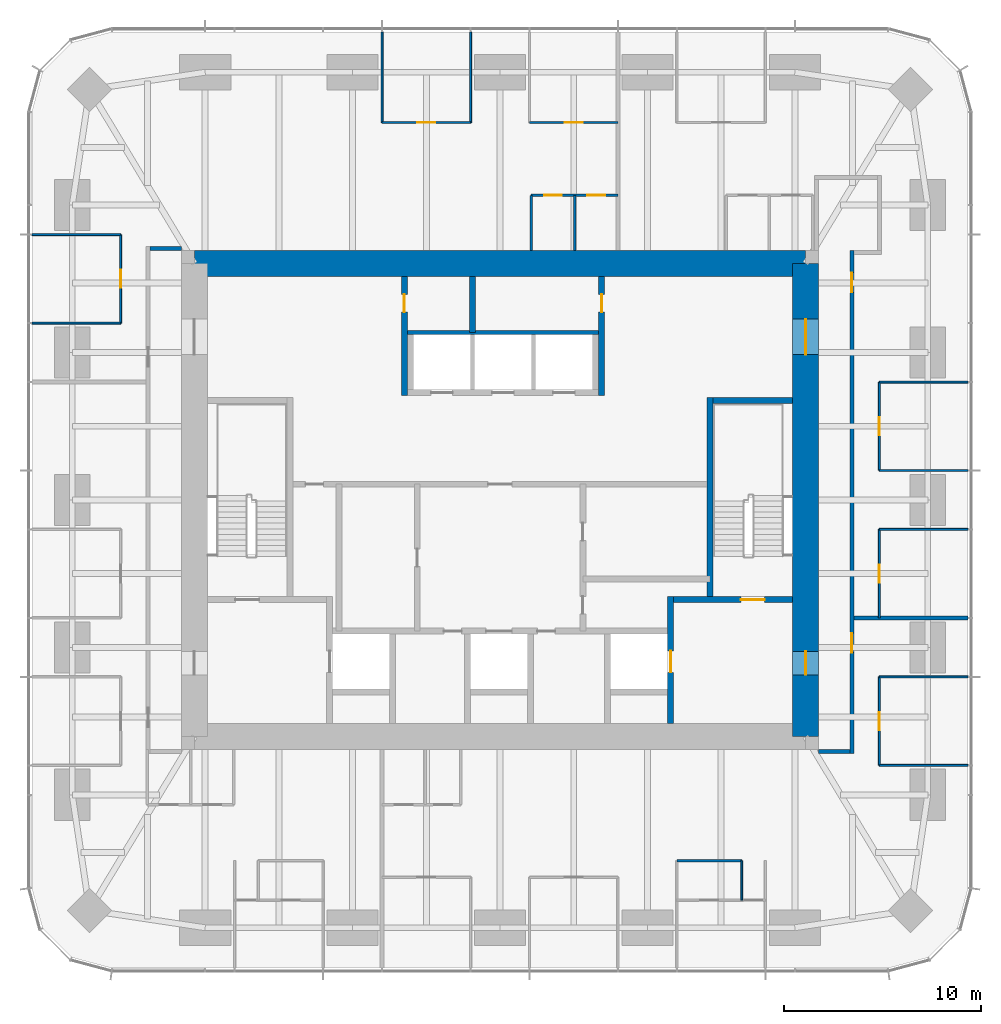
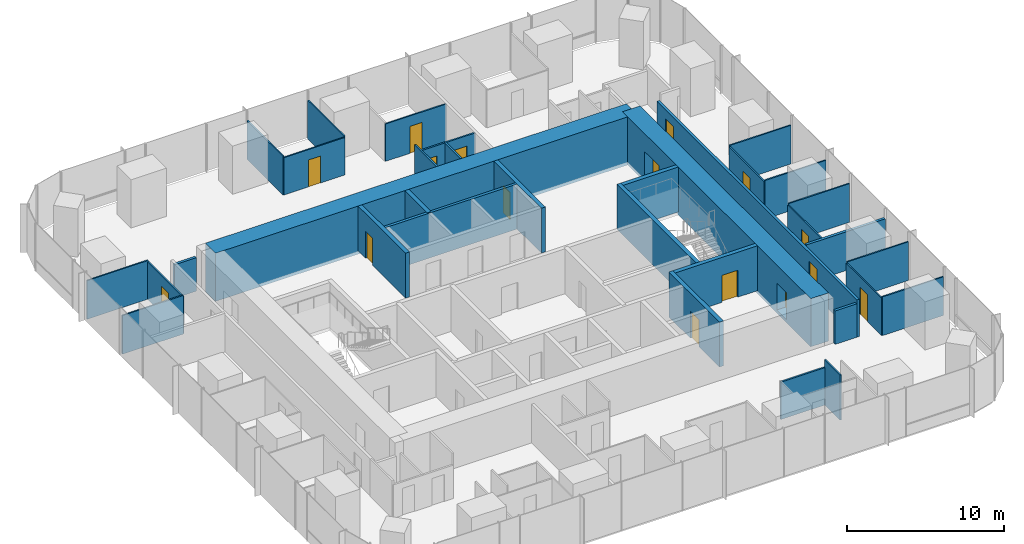
# One storey, part 10 of 12: 34 walls, 16 doors, 16 openings.
"""IFC4 building model written with IfcOpenShell, lengths in metres."""

from ifc_helpers import new_model, si_unit, direction, frame, frame_2d, origin, place, context, subcontext, project, spatial, rectangle, extrude, material, layer, layer_set, type_object, element, fill, save


model = new_model("IFC4")

# Units and contexts
model_context = context("Model", 3, precision=1e-05, world=origin(), true_north=direction((0.0, 1.0)))
body_context = subcontext(model_context, "Body", "Model", "MODEL_VIEW")
ifc_project = project(units=[si_unit("LENGTHUNIT", "METRE"), si_unit("AREAUNIT", "SQUARE_METRE"), si_unit("VOLUMEUNIT", "CUBIC_METRE"), si_unit("PLANEANGLEUNIT", "RADIAN"), si_unit("MASSUNIT", "GRAM", prefix="KILO")], contexts=[model_context])

# Site, building, storey
site_placement = place(None, origin())
site = spatial("IfcSite", under=ifc_project, at=site_placement, CompositionType="ELEMENT")
building_placement = place(site_placement, origin())
building = spatial("IfcBuilding", under=site, at=building_placement, Name="Khuree Lantern Residences", CompositionType="ELEMENT")
storey_placement = place(building_placement, frame((0.0, 0.0, 289.5)))
storey = spatial("IfcBuildingStorey", under=building, at=storey_placement, Name="L72", CompositionType="ELEMENT", Elevation=289.5)

# Wall, openings, doors
ifc_material_1 = material(Name="Moisture-resistant gypsum board on steel studs", Category="steel")
ifc_layer_1 = layer(ifc_material_1, 0.125)
ifc_layer_set_1 = layer_set([ifc_layer_1], Name="BATHROOM WALL BTW125")
wall_type_1 = type_object("IfcWallType", Name="BATHROOM WALL BTW125", PredefinedType="PARTITIONING", material=ifc_layer_set_1)
wall_1_placement = place(storey_placement, frame((5.98388671875, 15.449951171875, 0.0), z_axis=(0.0, 0.0, 1.0), x_axis=(-1.0, 0.0, 0.0)))
wall_1 = element("IfcWall", 1, at=wall_1_placement, inside=storey, type_object=wall_type_1, Name="L72 BATHROOM WALL 02", PredefinedType="PARTITIONING", context=body_context, shape_type="SweptSolid", body=[
    extrude(rectangle(XDim=4.39990234375, YDim=0.125, at=frame_2d((2.199951171875, 0.0))), origin(), (0.0, 0.0, 1.0), 2.909912109375),
])
opening_1_placement = place(wall_1_placement, frame((0.64990234375, 0.0, 0.0)))
opening_1 = element("IfcOpeningElement", 2, at=opening_1_placement, cuts=wall_1, Name="Opening 72-031", PredefinedType="OPENING", context=body_context, shape_type="SweptSolid", body=[
    extrude(rectangle(XDim=0.89990234375, YDim=2.10009765625, at=frame_2d((0.449951171875, 1.050048828125))), frame((0.0, 0.072509765625, 0.0), z_axis=(0.0, -1.0, 0.0), x_axis=(1.0, 0.0, 0.0)), (0.0, 0.0, 1.0), 0.14501953125),
])
opening_2_placement = place(wall_1_placement, frame((2.85009765625, 0.0, 0.0)))
opening_2 = element("IfcOpeningElement", 3, at=opening_2_placement, cuts=wall_1, Name="Opening 72-032", PredefinedType="OPENING", context=body_context, shape_type="SweptSolid", body=[
    extrude(rectangle(XDim=0.89990234375, YDim=2.10009765625, at=frame_2d((0.449951171875, 1.050048828125))), frame((0.0, 0.072509765625, 0.0), z_axis=(0.0, -1.0, 0.0), x_axis=(1.0, 0.0, 0.0)), (0.0, 0.0, 1.0), 0.14501953125),
])
ifc_material_2 = material(Name="Timber door leaf in hardwood frame", Category="wood")
door_type_1 = type_object("IfcDoorType", Name="BATHROOM DOOR 900X2100", OperationType="SINGLE_SWING_LEFT", PredefinedType="DOOR", material=ifc_material_2)
door_1_placement = place(opening_1_placement, origin())
door_1 = element("IfcDoor", 4, at=door_1_placement, inside=storey, type_object=door_type_1, Name="Bathroom door 72-031", OperationType="SINGLE_SWING_LEFT", OverallHeight=2.10009765625, OverallWidth=0.89990234375, PredefinedType="DOOR", context=body_context, shape_type="SweptSolid", body=[
    extrude(rectangle(XDim=0.89990234375, YDim=2.10009765625, at=frame_2d((0.449951171875, 1.050048828125))), frame((0.0, 0.02490234375, 0.0), z_axis=(0.0, -1.0, 0.0), x_axis=(1.0, 0.0, 0.0)), (0.0, 0.0, 1.0), 0.050048828125),
])
fill(opening_1, door_1)
door_2_placement = place(opening_2_placement, origin())
door_2 = element("IfcDoor", 5, at=door_2_placement, inside=storey, type_object=door_type_1, Name="Bathroom door 72-032", OperationType="SINGLE_SWING_LEFT", OverallHeight=2.10009765625, OverallWidth=0.89990234375, PredefinedType="DOOR", context=body_context, shape_type="SweptSolid", body=[
    extrude(rectangle(XDim=0.89990234375, YDim=2.10009765625, at=frame_2d((0.449951171875, 1.050048828125))), frame((0.0, 0.02490234375, 0.0), z_axis=(0.0, -1.0, 0.0), x_axis=(1.0, 0.0, 0.0)), (0.0, 0.0, 1.0), 0.050048828125),
])
fill(opening_2, door_2)

# Walls
wall_2_placement = place(storey_placement, frame((3.783935546875, 12.64990234375, 0.0), z_axis=(0.0, 0.0, 1.0), x_axis=(0.0, 1.0, 0.0)))
element("IfcWall", 6, at=wall_2_placement, inside=storey, type_object=wall_type_1, Name="L72 BATHROOM WALL 02", PredefinedType="PARTITIONING", context=body_context, shape_type="SweptSolid", body=[
    extrude(rectangle(XDim=2.800048828125, YDim=0.125, at=frame_2d((1.39990234375, 0.0))), origin(), (0.0, 0.0, 1.0), 2.909912109375),
])
wall_3_placement = place(storey_placement, frame((1.583984375, 12.64990234375, 0.0), z_axis=(0.0, 0.0, 1.0), x_axis=(0.0, 1.0, 0.0)))
element("IfcWall", 7, at=wall_3_placement, inside=storey, type_object=wall_type_1, Name="L72 BATHROOM WALL 02", PredefinedType="PARTITIONING", context=body_context, shape_type="SweptSolid", body=[
    extrude(rectangle(XDim=2.800048828125, YDim=0.125, at=frame_2d((1.39990234375, 0.0))), origin(), (0.0, 0.0, 1.0), 3.5),
])
wall_4_placement = place(storey_placement, frame((8.97607421875, -18.29638671875, 0.0), z_axis=(0.0, 0.0, 1.0), x_axis=(1.0, 0.0, 0.0)))
element("IfcWall", 8, at=wall_4_placement, inside=storey, type_object=wall_type_1, Name="L72 BATHROOM WALL 04", PredefinedType="PARTITIONING", context=body_context, shape_type="SweptSolid", body=[
    extrude(rectangle(XDim=3.287841796875, YDim=0.125, at=frame_2d((1.64404296875, 0.0))), origin(), (0.0, 0.0, 1.0), 2.909912109375),
])

# Wall, opening, door
ifc_material_3 = material(Name="Dense concrete blockwork", Category="masonry")
ifc_layer_2 = layer(ifc_material_3, 0.300048828125)
ifc_layer_set_2 = layer_set([ifc_layer_2], Name="CORE PARTITION WALL CPW300 EI 120")
wall_type_2 = type_object("IfcWallType", Name="CORE PARTITION WALL CPW300 EI 120", PredefinedType="PARTITIONING", material=ifc_layer_set_2)
wall_5_placement = place(storey_placement, frame((8.64990234375, -11.35009765625, 0.0), z_axis=(0.0, 0.0, 1.0), x_axis=(0.0, 1.0, 0.0)))
wall_5 = element("IfcWall", 9, at=wall_5_placement, inside=storey, type_object=wall_type_2, Name="L72 CORE WALL FL2E", PredefinedType="PARTITIONING", context=body_context, shape_type="SweptSolid", body=[
    extrude(rectangle(XDim=6.4501953125, YDim=0.300048828125, at=frame_2d((3.22509765625, 0.0))), origin(), (0.0, 0.0, 1.0), 3.5),
])
opening_3_placement = place(wall_5_placement, frame((2.60009765625, 0.0, 0.0)))
opening_3 = element("IfcOpeningElement", 10, at=opening_3_placement, cuts=wall_5, Name="Opening 72-008", PredefinedType="OPENING", context=body_context, shape_type="SweptSolid", body=[
    extrude(rectangle(XDim=1.10009765625, YDim=2.10009765625, at=frame_2d((0.550048828125, 1.050048828125))), frame((0.0, 0.16015625, 0.0), z_axis=(0.0, -1.0, 0.0), x_axis=(1.0, 0.0, 0.0)), (0.0, 0.0, 1.0), 0.320068359375),
])
ifc_material_4 = material(Name="Stainless steel lift landing door", Category="steel")
door_type_2 = type_object("IfcDoorType", Name="LIFT LANDING DOOR 1100X2100 E 120", OperationType="DOUBLE_DOOR_SLIDING", PredefinedType="DOOR", material=ifc_material_4)
door_3_placement = place(opening_3_placement, origin())
door_3 = element("IfcDoor", 11, at=door_3_placement, inside=storey, type_object=door_type_2, Name="Landing door FL2 72-008", OperationType="DOUBLE_DOOR_SLIDING", OverallHeight=2.10009765625, OverallWidth=1.10009765625, PredefinedType="DOOR", context=body_context, shape_type="SweptSolid", body=[
    extrude(rectangle(XDim=1.10009765625, YDim=2.10009765625, at=frame_2d((0.550048828125, 1.050048828125))), frame((0.0, 0.02490234375, 0.0), z_axis=(0.0, -1.0, 0.0), x_axis=(1.0, 0.0, 0.0)), (0.0, 0.0, 1.0), 0.050048828125),
])
fill(opening_3, door_3)

wall_6_placement = place(storey_placement, frame((-4.85009765625, 5.300048828125, 0.0), z_axis=(0.0, 0.0, 1.0), x_axis=(0.0, 1.0, 0.0)))
wall_6 = element("IfcWall", 12, at=wall_6_placement, inside=storey, type_object=wall_type_2, Name="L72 CORE WALL NW", PredefinedType="PARTITIONING", context=body_context, shape_type="SweptSolid", body=[
    extrude(rectangle(XDim=6.050048828125, YDim=0.300048828125, at=frame_2d((3.02490234375, 0.0))), origin(), (0.0, 0.0, 1.0), 3.5),
])
opening_4_placement = place(wall_6_placement, frame((4.22509765625, 0.0, 0.0)))
opening_4 = element("IfcOpeningElement", 13, at=opening_4_placement, cuts=wall_6, Name="Opening 72-020", PredefinedType="OPENING", context=body_context, shape_type="SweptSolid", body=[
    extrude(rectangle(XDim=0.89990234375, YDim=2.10009765625, at=frame_2d((0.449951171875, 1.050048828125))), frame((0.0, 0.16015625, 0.0), z_axis=(0.0, -1.0, 0.0), x_axis=(1.0, 0.0, 0.0)), (0.0, 0.0, 1.0), 0.320068359375),
])
door_type_3 = type_object("IfcDoorType", Name="DOOR 900X2100 RIGHT HAND", OperationType="SINGLE_SWING_RIGHT", PredefinedType="DOOR", material=ifc_material_2)
door_4_placement = place(opening_4_placement, origin())
door_4 = element("IfcDoor", 14, at=door_4_placement, inside=storey, type_object=door_type_3, Name="Building management room door 72-020", OperationType="SINGLE_SWING_RIGHT", OverallHeight=2.10009765625, OverallWidth=0.89990234375, PredefinedType="DOOR", context=body_context, shape_type="SweptSolid", body=[
    extrude(rectangle(XDim=0.89990234375, YDim=2.10009765625, at=frame_2d((0.449951171875, 1.050048828125))), frame((0.0, 0.02490234375, 0.0), z_axis=(0.0, -1.0, 0.0), x_axis=(1.0, 0.0, 0.0)), (0.0, 0.0, 1.0), 0.050048828125),
])
fill(opening_4, door_4)

wall_7_placement = place(storey_placement, frame((5.14990234375, 5.300048828125, 0.0), z_axis=(0.0, 0.0, 1.0), x_axis=(0.0, 1.0, 0.0)))
wall_7 = element("IfcWall", 15, at=wall_7_placement, inside=storey, type_object=wall_type_2, Name="L72 CORE WALL NE", PredefinedType="PARTITIONING", context=body_context, shape_type="SweptSolid", body=[
    extrude(rectangle(XDim=6.050048828125, YDim=0.300048828125, at=frame_2d((3.02490234375, 0.0))), origin(), (0.0, 0.0, 1.0), 3.5),
])
opening_5_placement = place(wall_7_placement, frame((4.22509765625, 0.0, 0.0)))
opening_5 = element("IfcOpeningElement", 16, at=opening_5_placement, cuts=wall_7, Name="Opening 72-021", PredefinedType="OPENING", context=body_context, shape_type="SweptSolid", body=[
    extrude(rectangle(XDim=0.89990234375, YDim=2.10009765625, at=frame_2d((0.449951171875, 1.050048828125))), frame((0.0, 0.16015625, 0.0), z_axis=(0.0, -1.0, 0.0), x_axis=(1.0, 0.0, 0.0)), (0.0, 0.0, 1.0), 0.320068359375),
])
door_type_4 = type_object("IfcDoorType", Name="DOOR 900X2100", OperationType="SINGLE_SWING_LEFT", PredefinedType="DOOR", material=ifc_material_2)
door_5_placement = place(opening_5_placement, origin())
door_5 = element("IfcDoor", 17, at=door_5_placement, inside=storey, type_object=door_type_4, Name="Bulky waste store door 72-021", OperationType="SINGLE_SWING_LEFT", OverallHeight=2.10009765625, OverallWidth=0.89990234375, PredefinedType="DOOR", context=body_context, shape_type="SweptSolid", body=[
    extrude(rectangle(XDim=0.89990234375, YDim=2.10009765625, at=frame_2d((0.449951171875, 1.050048828125))), frame((0.0, 0.02490234375, 0.0), z_axis=(0.0, -1.0, 0.0), x_axis=(1.0, 0.0, 0.0)), (0.0, 0.0, 1.0), 0.050048828125),
])
fill(opening_5, door_5)

# Walls
wall_8_placement = place(storey_placement, frame((-1.39990234375, 8.5, 0.0), z_axis=(0.0, 0.0, 1.0), x_axis=(0.0, 1.0, 0.0)))
element("IfcWall", 18, at=wall_8_placement, inside=storey, type_object=wall_type_2, Name="L72 CORE WALL NX", PredefinedType="PARTITIONING", context=body_context, shape_type="SweptSolid", body=[
    extrude(rectangle(XDim=2.85009765625, YDim=0.300048828125, at=frame_2d((1.425048828125, 0.0))), origin(), (0.0, 0.0, 1.0), 3.5),
])
ifc_material_5 = material(Name="Gypsum board on steel studs", Category="steel")
ifc_layer_3 = layer(ifc_material_5, 0.199951171875)
ifc_layer_set_3 = layer_set([ifc_layer_3], Name="CORRIDOR WALL CRW200 EI 60")
wall_type_3 = type_object("IfcWallType", Name="CORRIDOR WALL CRW200 EI 60", PredefinedType="PARTITIONING", material=ifc_layer_set_3)
for number, where, z_axis, x_axis, name in (
    (19, (16.14990234375, -12.75, 0.0), (0.0, 0.0, 1.0), (1.0, 0.0, 0.0), "L72 EAST CORRIDOR SOUTH END WALL"),
    (20, (-16.14990234375, 12.75, 0.0), (0.0, 0.0, 1.0), (-1.0, 0.0, 0.0), "L72 WEST CORRIDOR NORTH END WALL"),
):
    element("IfcWall", number, at=place(storey_placement, frame(where, z_axis=z_axis, x_axis=x_axis)), inside=storey, type_object=wall_type_3, Name=name, PredefinedType="PARTITIONING", context=body_context, shape_type="SweptSolid", body=[
        extrude(rectangle(XDim=1.60009765625, YDim=0.199951171875, at=frame_2d((0.800048828125, 0.0))), origin(), (0.0, 0.0, 1.0), 2.60009765625),
    ])

# Wall, openings, doors
wall_9_placement = place(storey_placement, frame((17.85009765625, -12.85009765625, 0.0), z_axis=(0.0, 0.0, 1.0), x_axis=(0.0, 1.0, 0.0)))
wall_9 = element("IfcWall", 21, at=wall_9_placement, inside=storey, type_object=wall_type_3, Name="L72 CORRIDOR WALL EAST 1", PredefinedType="PARTITIONING", context=body_context, shape_type="SweptSolid", body=[
    extrude(rectangle(XDim=25.5, YDim=0.199951171875, at=frame_2d((12.75, 0.0))), origin(), (0.0, 0.0, 1.0), 2.89990234375),
])
opening_6_placement = place(wall_9_placement, frame((23.385986328125, 0.0, 0.0)))
opening_6 = element("IfcOpeningElement", 22, at=opening_6_placement, cuts=wall_9, Name="Opening 72-027", PredefinedType="OPENING", context=body_context, shape_type="SweptSolid", body=[
    extrude(rectangle(XDim=1.0, YDim=2.199951171875, at=frame_2d((0.5, 1.10009765625))), frame((0.0, 0.10986328125, 0.0), z_axis=(0.0, -1.0, 0.0), x_axis=(1.0, 0.0, 0.0)), (0.0, 0.0, 1.0), 0.219970703125),
])
opening_7_placement = place(wall_9_placement, frame((5.10009765625, 0.0, 0.0)))
opening_7 = element("IfcOpeningElement", 23, at=opening_7_placement, cuts=wall_9, Name="Opening 72-048", PredefinedType="OPENING", context=body_context, shape_type="SweptSolid", body=[
    extrude(rectangle(XDim=1.0, YDim=2.199951171875, at=frame_2d((0.5, 1.10009765625))), frame((0.0, 0.10986328125, 0.0), z_axis=(0.0, -1.0, 0.0), x_axis=(1.0, 0.0, 0.0)), (0.0, 0.0, 1.0), 0.219970703125),
])
door_type_5 = type_object("IfcDoorType", Name="APARTMENT ENTRANCE DOOR 1000X2200 EI 30S", OperationType="SINGLE_SWING_LEFT", PredefinedType="DOOR", material=ifc_material_2)
door_6_placement = place(opening_6_placement, origin())
door_6 = element("IfcDoor", 24, at=door_6_placement, inside=storey, type_object=door_type_5, Name="Apartment 01 entrance door 72-027", OperationType="SINGLE_SWING_LEFT", OverallHeight=2.199951171875, OverallWidth=1.0, PredefinedType="DOOR", context=body_context, shape_type="SweptSolid", body=[
    extrude(rectangle(XDim=1.0, YDim=2.199951171875, at=frame_2d((0.5, 1.10009765625))), frame((0.0, 0.02490234375, 0.0), z_axis=(0.0, -1.0, 0.0), x_axis=(1.0, 0.0, 0.0)), (0.0, 0.0, 1.0), 0.050048828125),
])
fill(opening_6, door_6)
door_7_placement = place(opening_7_placement, origin())
door_7 = element("IfcDoor", 25, at=door_7_placement, inside=storey, type_object=door_type_5, Name="Apartment 04 entrance door 72-048", OperationType="SINGLE_SWING_LEFT", OverallHeight=2.199951171875, OverallWidth=1.0, PredefinedType="DOOR", context=body_context, shape_type="SweptSolid", body=[
    extrude(rectangle(XDim=1.0, YDim=2.199951171875, at=frame_2d((0.5, 1.10009765625))), frame((0.0, 0.02490234375, 0.0), z_axis=(0.0, -1.0, 0.0), x_axis=(1.0, 0.0, 0.0)), (0.0, 0.0, 1.0), 0.050048828125),
])
fill(opening_7, door_7)

ifc_material_6 = material(Name="Concrete C50/60", Category="concrete")
ifc_layer_4 = layer(ifc_material_6, 1.300048828125)
ifc_layer_set_4 = layer_set([ifc_layer_4], Name="CW1300-C50 CORE WALL C50 1300")
wall_type_4 = type_object("IfcWallType", Name="CW1300-C50 CORE WALL C50 1300", PredefinedType="SHEAR", material=ifc_layer_set_4)
wall_10_placement = place(storey_placement, frame((15.5, -12.0, -0.25), z_axis=(0.0, 0.0, 1.0), x_axis=(0.0, 1.0, 0.0)))
wall_10 = element("IfcWall", 26, at=wall_10_placement, inside=storey, type_object=wall_type_4, Name="Core wall E", PredefinedType="SHEAR", context=body_context, shape_type="SweptSolid", body=[
    extrude(rectangle(XDim=24.0, YDim=1.300048828125, at=frame_2d((12.0, 0.0))), origin(), (0.0, 0.0, 1.0), 3.75),
])
opening_8_placement = place(wall_10_placement, frame((3.125, 0.0, 0.25)))
opening_8 = element("IfcOpeningElement", 27, at=opening_8_placement, cuts=wall_10, Name="Opening 72-005", PredefinedType="OPENING", context=body_context, shape_type="SweptSolid", body=[
    extrude(rectangle(XDim=1.199951171875, YDim=2.10009765625, at=frame_2d((0.60009765625, 1.050048828125))), frame((0.0, 0.66015625, 0.0), z_axis=(0.0, -1.0, 0.0), x_axis=(1.0, 0.0, 0.0)), (0.0, 0.0, 1.0), 1.320068359375),
])
opening_9_placement = place(wall_10_placement, frame((19.375, 0.0, 0.25)))
opening_9 = element("IfcOpeningElement", 28, at=opening_9_placement, cuts=wall_10, Name="Opening 72-006", PredefinedType="OPENING", context=body_context, shape_type="SweptSolid", body=[
    extrude(rectangle(XDim=1.800048828125, YDim=2.10009765625, at=frame_2d((0.89990234375, 1.050048828125))), frame((0.0, 0.66015625, 0.0), z_axis=(0.0, -1.0, 0.0), x_axis=(1.0, 0.0, 0.0)), (0.0, 0.0, 1.0), 1.320068359375),
])
ifc_material_7 = material(Name="Steel door leaf in steel frame", Category="steel")
door_type_6 = type_object("IfcDoorType", Name="LOBBY DOOR 1200X2100 EI 120", OperationType="SINGLE_SWING_LEFT", PredefinedType="DOOR", material=ifc_material_7)
door_8_placement = place(opening_8_placement, origin())
door_8 = element("IfcDoor", 29, at=door_8_placement, inside=storey, type_object=door_type_6, Name="Firefighting lobby door 72-005", OperationType="SINGLE_SWING_LEFT", OverallHeight=2.10009765625, OverallWidth=1.199951171875, PredefinedType="DOOR", context=body_context, shape_type="SweptSolid", body=[
    extrude(rectangle(XDim=1.199951171875, YDim=2.10009765625, at=frame_2d((0.60009765625, 1.050048828125))), frame((0.0, 0.02490234375, 0.0), z_axis=(0.0, -1.0, 0.0), x_axis=(1.0, 0.0, 0.0)), (0.0, 0.0, 1.0), 0.050048828125),
])
fill(opening_8, door_8)
door_type_7 = type_object("IfcDoorType", Name="LOBBY DOUBLE DOOR 1800X2100 EI 60", OperationType="DOUBLE_DOOR_SINGLE_SWING", PredefinedType="DOOR", material=ifc_material_7)
door_9_placement = place(opening_9_placement, origin())
door_9 = element("IfcDoor", 30, at=door_9_placement, inside=storey, type_object=door_type_7, Name="Lift lobby door 72-006", OperationType="DOUBLE_DOOR_SINGLE_SWING", OverallHeight=2.10009765625, OverallWidth=1.800048828125, PredefinedType="DOOR", context=body_context, shape_type="SweptSolid", body=[
    extrude(rectangle(XDim=1.800048828125, YDim=2.10009765625, at=frame_2d((0.89990234375, 1.050048828125))), frame((0.0, 0.02490234375, 0.0), z_axis=(0.0, -1.0, 0.0), x_axis=(1.0, 0.0, 0.0)), (0.0, 0.0, 1.0), 0.050048828125),
])
fill(opening_9, door_9)

# Walls
wall_11_placement = place(storey_placement, frame((-15.5, 12.0, -0.25), z_axis=(0.0, 0.0, 1.0), x_axis=(1.0, 0.0, 0.0)))
element("IfcWall", 31, at=wall_11_placement, inside=storey, type_object=wall_type_4, Name="Core wall N", PredefinedType="SHEAR", context=body_context, shape_type="SweptSolid", body=[
    extrude(rectangle(XDim=31.0, YDim=1.300048828125, at=frame_2d((15.5, 0.0))), origin(), (0.0, 0.0, 1.0), 3.75),
])
ifc_layer_5 = layer(ifc_material_5, 0.199951171875)
ifc_layer_set_5 = layer_set([ifc_layer_5], Name="DEMISING WALL DMW200 EI 90")
wall_type_5 = type_object("IfcWallType", Name="DEMISING WALL DMW200 EI 90", PredefinedType="PARTITIONING", material=ifc_layer_set_5)
wall_12_placement = place(storey_placement, frame((17.949951171875, -5.98388671875, 0.0), z_axis=(0.0, 0.0, 1.0), x_axis=(1.0, 0.0, 0.0)))
element("IfcWall", 32, at=wall_12_placement, inside=storey, type_object=wall_type_5, Name="L72 DEMISING WALL 01", PredefinedType="PARTITIONING", context=body_context, shape_type="SweptSolid", body=[
    extrude(rectangle(XDim=5.800048828125, YDim=0.199951171875, at=frame_2d((2.89990234375, 0.0))), origin(), (0.0, 0.0, 1.0), 3.010009765625),
])
ifc_layer_6 = layer(ifc_material_5, 0.10009765625)
ifc_layer_set_6 = layer_set([ifc_layer_6], Name="PARTITION PT100")
wall_type_6 = type_object("IfcWallType", Name="PARTITION PT100", PredefinedType="PARTITIONING", material=ifc_layer_set_6)
for number, where, z_axis, x_axis, name in (
    (33, (19.25, -1.49609375, 0.0), (0.0, 0.0, 1.0), (1.0, 0.0, 0.0), "L72 PARTITION 01"),
    (34, (19.25, 1.49609375, 0.0), (0.0, 0.0, 1.0), (1.0, 0.0, 0.0), "L72 PARTITION 01"),
    (35, (19.25, 5.98388671875, 0.0), (0.0, 0.0, 1.0), (1.0, 0.0, 0.0), "L72 PARTITION 01"),
):
    element("IfcWall", number, at=place(storey_placement, frame(where, z_axis=z_axis, x_axis=x_axis)), inside=storey, type_object=wall_type_6, Name=name, PredefinedType="PARTITIONING", context=body_context, shape_type="SweptSolid", body=[
        extrude(rectangle(XDim=4.5, YDim=0.10009765625, at=frame_2d((2.25, 0.0))), origin(), (0.0, 0.0, 1.0), 3.010009765625),
    ])
for number, where, z_axis, x_axis, name in (
    (36, (-1.49609375, 19.14990234375, 0.0), (0.0, 0.0, 1.0), (0.0, 1.0, 0.0), "L72 PARTITION 02"),
    (37, (-5.98388671875, 19.14990234375, 0.0), (0.0, 0.0, 1.0), (0.0, 1.0, 0.0), "L72 PARTITION 02"),
):
    element("IfcWall", number, at=place(storey_placement, frame(where, z_axis=z_axis, x_axis=x_axis)), inside=storey, type_object=wall_type_6, Name=name, PredefinedType="PARTITIONING", context=body_context, shape_type="SweptSolid", body=[
        extrude(rectangle(XDim=4.60009765625, YDim=0.10009765625, at=frame_2d((2.300048828125, 0.0))), origin(), (0.0, 0.0, 1.0), 3.010009765625),
    ])
for number, where, z_axis, x_axis, name in (
    (38, (-19.25, 13.464111328125, 0.0), (0.0, 0.0, 1.0), (-1.0, 0.0, 0.0), "L72 PARTITION 02"),
    (39, (-19.25, 8.97607421875, 0.0), (0.0, 0.0, 1.0), (-1.0, 0.0, 0.0), "L72 PARTITION 02"),
    (40, (19.25, -13.464111328125, 0.0), (0.0, 0.0, 1.0), (1.0, 0.0, 0.0), "L72 PARTITION 04"),
    (41, (19.25, -8.97607421875, 0.0), (0.0, 0.0, 1.0), (1.0, 0.0, 0.0), "L72 PARTITION 04"),
):
    element("IfcWall", number, at=place(storey_placement, frame(where, z_axis=z_axis, x_axis=x_axis)), inside=storey, type_object=wall_type_6, Name=name, PredefinedType="PARTITIONING", context=body_context, shape_type="SweptSolid", body=[
        extrude(rectangle(XDim=4.5, YDim=0.10009765625, at=frame_2d((2.25, 0.0))), origin(), (0.0, 0.0, 1.0), 3.010009765625),
    ])

# Wall, opening, door
wall_13_placement = place(storey_placement, frame((19.25, -5.98388671875, 0.0), z_axis=(0.0, 0.0, 1.0), x_axis=(0.0, 1.0, 0.0)))
wall_13 = element("IfcWall", 42, at=wall_13_placement, inside=storey, type_object=wall_type_6, Name="L72 PARTITION 01", PredefinedType="PARTITIONING", context=body_context, shape_type="SweptSolid", body=[
    extrude(rectangle(XDim=4.48779296875, YDim=0.10009765625, at=frame_2d((2.243896484375, 0.0))), origin(), (0.0, 0.0, 1.0), 2.909912109375),
])
opening_10_placement = place(wall_13_placement, frame((1.7939453125, 0.0, 0.0)))
opening_10 = element("IfcOpeningElement", 43, at=opening_10_placement, cuts=wall_13, Name="Opening 72-022", PredefinedType="OPENING", context=body_context, shape_type="SweptSolid", body=[
    extrude(rectangle(XDim=0.89990234375, YDim=2.10009765625, at=frame_2d((0.449951171875, 1.050048828125))), frame((0.0, 0.06005859375, 0.0), z_axis=(0.0, -1.0, 0.0), x_axis=(1.0, 0.0, 0.0)), (0.0, 0.0, 1.0), 0.1201171875),
])
door_type_8 = type_object("IfcDoorType", Name="BEDROOM DOOR 900X2100", OperationType="SINGLE_SWING_LEFT", PredefinedType="DOOR", material=ifc_material_2)
door_10_placement = place(opening_10_placement, origin())
door_10 = element("IfcDoor", 44, at=door_10_placement, inside=storey, type_object=door_type_8, Name="Bedroom door 72-022", OperationType="SINGLE_SWING_LEFT", OverallHeight=2.10009765625, OverallWidth=0.89990234375, PredefinedType="DOOR", context=body_context, shape_type="SweptSolid", body=[
    extrude(rectangle(XDim=0.89990234375, YDim=2.10009765625, at=frame_2d((0.449951171875, 1.050048828125))), frame((0.0, 0.02490234375, 0.0), z_axis=(0.0, -1.0, 0.0), x_axis=(1.0, 0.0, 0.0)), (0.0, 0.0, 1.0), 0.050048828125),
])
fill(opening_10, door_10)

wall_14_placement = place(storey_placement, frame((19.25, 1.49609375, 0.0), z_axis=(0.0, 0.0, 1.0), x_axis=(0.0, 1.0, 0.0)))
wall_14 = element("IfcWall", 45, at=wall_14_placement, inside=storey, type_object=wall_type_6, Name="L72 PARTITION 01", PredefinedType="PARTITIONING", context=body_context, shape_type="SweptSolid", body=[
    extrude(rectangle(XDim=4.48779296875, YDim=0.10009765625, at=frame_2d((2.243896484375, 0.0))), origin(), (0.0, 0.0, 1.0), 2.909912109375),
])
opening_11_placement = place(wall_14_placement, frame((1.7939453125, 0.0, 0.0)))
opening_11 = element("IfcOpeningElement", 46, at=opening_11_placement, cuts=wall_14, Name="Opening 72-023", PredefinedType="OPENING", context=body_context, shape_type="SweptSolid", body=[
    extrude(rectangle(XDim=0.89990234375, YDim=2.10009765625, at=frame_2d((0.449951171875, 1.050048828125))), frame((0.0, 0.06005859375, 0.0), z_axis=(0.0, -1.0, 0.0), x_axis=(1.0, 0.0, 0.0)), (0.0, 0.0, 1.0), 0.1201171875),
])
door_11_placement = place(opening_11_placement, origin())
door_11 = element("IfcDoor", 47, at=door_11_placement, inside=storey, type_object=door_type_8, Name="Bedroom door 72-023", OperationType="SINGLE_SWING_LEFT", OverallHeight=2.10009765625, OverallWidth=0.89990234375, PredefinedType="DOOR", context=body_context, shape_type="SweptSolid", body=[
    extrude(rectangle(XDim=0.89990234375, YDim=2.10009765625, at=frame_2d((0.449951171875, 1.050048828125))), frame((0.0, 0.02490234375, 0.0), z_axis=(0.0, -1.0, 0.0), x_axis=(1.0, 0.0, 0.0)), (0.0, 0.0, 1.0), 0.050048828125),
])
fill(opening_11, door_11)

wall_15_placement = place(storey_placement, frame((5.98388671875, 19.14990234375, 0.0), z_axis=(0.0, 0.0, 1.0), x_axis=(-1.0, 0.0, 0.0)))
wall_15 = element("IfcWall", 48, at=wall_15_placement, inside=storey, type_object=wall_type_6, Name="L72 PARTITION 02", PredefinedType="PARTITIONING", context=body_context, shape_type="SweptSolid", body=[
    extrude(rectangle(XDim=4.48779296875, YDim=0.10009765625, at=frame_2d((2.243896484375, 0.0))), origin(), (0.0, 0.0, 1.0), 2.909912109375),
])
opening_12_placement = place(wall_15_placement, frame((1.7939453125, 0.0, 0.0)))
opening_12 = element("IfcOpeningElement", 49, at=opening_12_placement, cuts=wall_15, Name="Opening 72-028", PredefinedType="OPENING", context=body_context, shape_type="SweptSolid", body=[
    extrude(rectangle(XDim=0.89990234375, YDim=2.10009765625, at=frame_2d((0.449951171875, 1.050048828125))), frame((0.0, 0.06005859375, 0.0), z_axis=(0.0, -1.0, 0.0), x_axis=(1.0, 0.0, 0.0)), (0.0, 0.0, 1.0), 0.1201171875),
])
door_12_placement = place(opening_12_placement, origin())
door_12 = element("IfcDoor", 50, at=door_12_placement, inside=storey, type_object=door_type_8, Name="Bedroom door 72-028", OperationType="SINGLE_SWING_LEFT", OverallHeight=2.10009765625, OverallWidth=0.89990234375, PredefinedType="DOOR", context=body_context, shape_type="SweptSolid", body=[
    extrude(rectangle(XDim=0.89990234375, YDim=2.10009765625, at=frame_2d((0.449951171875, 1.050048828125))), frame((0.0, 0.02490234375, 0.0), z_axis=(0.0, -1.0, 0.0), x_axis=(1.0, 0.0, 0.0)), (0.0, 0.0, 1.0), 0.050048828125),
])
fill(opening_12, door_12)

wall_16_placement = place(storey_placement, frame((-1.49609375, 19.14990234375, 0.0), z_axis=(0.0, 0.0, 1.0), x_axis=(-1.0, 0.0, 0.0)))
wall_16 = element("IfcWall", 51, at=wall_16_placement, inside=storey, type_object=wall_type_6, Name="L72 PARTITION 02", PredefinedType="PARTITIONING", context=body_context, shape_type="SweptSolid", body=[
    extrude(rectangle(XDim=4.48779296875, YDim=0.10009765625, at=frame_2d((2.243896484375, 0.0))), origin(), (0.0, 0.0, 1.0), 2.909912109375),
])
opening_13_placement = place(wall_16_placement, frame((1.7939453125, 0.0, 0.0)))
opening_13 = element("IfcOpeningElement", 52, at=opening_13_placement, cuts=wall_16, Name="Opening 72-029", PredefinedType="OPENING", context=body_context, shape_type="SweptSolid", body=[
    extrude(rectangle(XDim=0.89990234375, YDim=2.10009765625, at=frame_2d((0.449951171875, 1.050048828125))), frame((0.0, 0.06005859375, 0.0), z_axis=(0.0, -1.0, 0.0), x_axis=(1.0, 0.0, 0.0)), (0.0, 0.0, 1.0), 0.1201171875),
])
door_13_placement = place(opening_13_placement, origin())
door_13 = element("IfcDoor", 53, at=door_13_placement, inside=storey, type_object=door_type_8, Name="Bedroom door 72-029", OperationType="SINGLE_SWING_LEFT", OverallHeight=2.10009765625, OverallWidth=0.89990234375, PredefinedType="DOOR", context=body_context, shape_type="SweptSolid", body=[
    extrude(rectangle(XDim=0.89990234375, YDim=2.10009765625, at=frame_2d((0.449951171875, 1.050048828125))), frame((0.0, 0.02490234375, 0.0), z_axis=(0.0, -1.0, 0.0), x_axis=(1.0, 0.0, 0.0)), (0.0, 0.0, 1.0), 0.050048828125),
])
fill(opening_13, door_13)

wall_17_placement = place(storey_placement, frame((-19.25, 13.464111328125, 0.0), z_axis=(0.0, 0.0, 1.0), x_axis=(0.0, -1.0, 0.0)))
wall_17 = element("IfcWall", 54, at=wall_17_placement, inside=storey, type_object=wall_type_6, Name="L72 PARTITION 02", PredefinedType="PARTITIONING", context=body_context, shape_type="SweptSolid", body=[
    extrude(rectangle(XDim=4.488037109375, YDim=0.10009765625, at=frame_2d((2.244140625, 0.0))), origin(), (0.0, 0.0, 1.0), 2.909912109375),
])
opening_14_placement = place(wall_17_placement, frame((1.7939453125, 0.0, 0.0)))
opening_14 = element("IfcOpeningElement", 55, at=opening_14_placement, cuts=wall_17, Name="Opening 72-030", PredefinedType="OPENING", context=body_context, shape_type="SweptSolid", body=[
    extrude(rectangle(XDim=0.89990234375, YDim=2.10009765625, at=frame_2d((0.449951171875, 1.050048828125))), frame((0.0, 0.06005859375, 0.0), z_axis=(0.0, -1.0, 0.0), x_axis=(1.0, 0.0, 0.0)), (0.0, 0.0, 1.0), 0.1201171875),
])
door_14_placement = place(opening_14_placement, origin())
door_14 = element("IfcDoor", 56, at=door_14_placement, inside=storey, type_object=door_type_8, Name="Bedroom door 72-030", OperationType="SINGLE_SWING_LEFT", OverallHeight=2.10009765625, OverallWidth=0.89990234375, PredefinedType="DOOR", context=body_context, shape_type="SweptSolid", body=[
    extrude(rectangle(XDim=0.89990234375, YDim=2.10009765625, at=frame_2d((0.449951171875, 1.050048828125))), frame((0.0, 0.02490234375, 0.0), z_axis=(0.0, -1.0, 0.0), x_axis=(1.0, 0.0, 0.0)), (0.0, 0.0, 1.0), 0.050048828125),
])
fill(opening_14, door_14)

# Wall
wall_18_placement = place(storey_placement, frame((12.263916015625, -18.29638671875, 0.0), z_axis=(0.0, 0.0, 1.0), x_axis=(0.0, -1.0, 0.0)))
element("IfcWall", 57, at=wall_18_placement, inside=storey, type_object=wall_type_6, Name="L72 PARTITION 04", PredefinedType="PARTITIONING", context=body_context, shape_type="SweptSolid", body=[
    extrude(rectangle(XDim=2.0, YDim=0.10009765625, at=frame_2d((1.0, 0.0))), origin(), (0.0, 0.0, 1.0), 3.5),
])

# Wall, opening, door
wall_19_placement = place(storey_placement, frame((19.25, -13.464111328125, 0.0), z_axis=(0.0, 0.0, 1.0), x_axis=(0.0, 1.0, 0.0)))
wall_19 = element("IfcWall", 58, at=wall_19_placement, inside=storey, type_object=wall_type_6, Name="L72 PARTITION 04", PredefinedType="PARTITIONING", context=body_context, shape_type="SweptSolid", body=[
    extrude(rectangle(XDim=4.488037109375, YDim=0.10009765625, at=frame_2d((2.244140625, 0.0))), origin(), (0.0, 0.0, 1.0), 2.909912109375),
])
opening_15_placement = place(wall_19_placement, frame((1.7939453125, 0.0, 0.0)))
opening_15 = element("IfcOpeningElement", 59, at=opening_15_placement, cuts=wall_19, Name="Opening 72-045", PredefinedType="OPENING", context=body_context, shape_type="SweptSolid", body=[
    extrude(rectangle(XDim=0.89990234375, YDim=2.10009765625, at=frame_2d((0.449951171875, 1.050048828125))), frame((0.0, 0.06005859375, 0.0), z_axis=(0.0, -1.0, 0.0), x_axis=(1.0, 0.0, 0.0)), (0.0, 0.0, 1.0), 0.1201171875),
])
door_15_placement = place(opening_15_placement, origin())
door_15 = element("IfcDoor", 60, at=door_15_placement, inside=storey, type_object=door_type_8, Name="Bedroom door 72-045", OperationType="SINGLE_SWING_LEFT", OverallHeight=2.10009765625, OverallWidth=0.89990234375, PredefinedType="DOOR", context=body_context, shape_type="SweptSolid", body=[
    extrude(rectangle(XDim=0.89990234375, YDim=2.10009765625, at=frame_2d((0.449951171875, 1.050048828125))), frame((0.0, 0.02490234375, 0.0), z_axis=(0.0, -1.0, 0.0), x_axis=(1.0, 0.0, 0.0)), (0.0, 0.0, 1.0), 0.050048828125),
])
fill(opening_15, door_15)

# Walls
ifc_layer_7 = layer(ifc_material_3, 0.199951171875)
ifc_layer_set_7 = layer_set([ifc_layer_7], Name="SHAFT WALL SHW200 EI 120")
wall_type_7 = type_object("IfcWallType", Name="SHAFT WALL SHW200 EI 120", PredefinedType="PARTITIONING", material=ifc_layer_set_7)
wall_20_placement = place(storey_placement, frame((-4.699951171875, 8.5, 0.0), z_axis=(0.0, 0.0, 1.0), x_axis=(1.0, 0.0, 0.0)))
element("IfcWall", 61, at=wall_20_placement, inside=storey, type_object=wall_type_7, Name="L72 CORE WALL PHN", PredefinedType="PARTITIONING", context=body_context, shape_type="SweptSolid", body=[
    extrude(rectangle(XDim=9.699951171875, YDim=0.199951171875, at=frame_2d((4.85009765625, 0.0))), origin(), (0.0, 0.0, 1.0), 3.5),
])
ifc_layer_8 = layer(ifc_material_6, 0.300048828125)
ifc_layer_set_8 = layer_set([ifc_layer_8], Name="STAIR WALL SRW300 C50/60 REI 240")
wall_type_8 = type_object("IfcWallType", Name="STAIR WALL SRW300 C50/60 REI 240", PredefinedType="SOLIDWALL", material=ifc_layer_set_8)
wall_21_placement = place(storey_placement, frame((10.64990234375, -4.89990234375, 0.0), z_axis=(0.0, 0.0, 1.0), x_axis=(0.0, 1.0, 0.0)))
element("IfcWall", 62, at=wall_21_placement, inside=storey, type_object=wall_type_8, Name="L72 STAIR WALL ST2E", PredefinedType="SOLIDWALL", context=body_context, shape_type="SweptSolid", body=[
    extrude(rectangle(XDim=10.099853515625, YDim=0.300048828125, at=frame_2d((5.0498046875, 0.0))), origin(), (0.0, 0.0, 1.0), 3.5),
])

# Wall, opening, door
wall_22_placement = place(storey_placement, frame((14.85009765625, -5.050048828125, 0.0), z_axis=(0.0, 0.0, 1.0), x_axis=(-1.0, 0.0, 0.0)))
wall_22 = element("IfcWall", 63, at=wall_22_placement, inside=storey, type_object=wall_type_8, Name="L72 STAIR WALL ST2S", PredefinedType="SOLIDWALL", context=body_context, shape_type="SweptSolid", body=[
    extrude(rectangle(XDim=6.050048828125, YDim=0.300048828125, at=frame_2d((3.02490234375, 0.0))), origin(), (0.0, 0.0, 1.0), 3.5),
])
opening_16_placement = place(wall_22_placement, frame((1.425048828125, 0.0, 0.0)))
opening_16 = element("IfcOpeningElement", 64, at=opening_16_placement, cuts=wall_22, Name="Opening 72-004", PredefinedType="OPENING", context=body_context, shape_type="SweptSolid", body=[
    extrude(rectangle(XDim=1.199951171875, YDim=2.10009765625, at=frame_2d((0.60009765625, 1.050048828125))), frame((0.0, 0.16015625, 0.0), z_axis=(0.0, -1.0, 0.0), x_axis=(1.0, 0.0, 0.0)), (0.0, 0.0, 1.0), 0.320068359375),
])
door_type_9 = type_object("IfcDoorType", Name="STAIR DOOR 1200X2100 EI 120", OperationType="SINGLE_SWING_LEFT", PredefinedType="DOOR", material=ifc_material_7)
door_16_placement = place(opening_16_placement, origin())
door_16 = element("IfcDoor", 65, at=door_16_placement, inside=storey, type_object=door_type_9, Name="Stair ST2 door 72-004", OperationType="SINGLE_SWING_LEFT", OverallHeight=2.10009765625, OverallWidth=1.199951171875, PredefinedType="DOOR", context=body_context, shape_type="SweptSolid", body=[
    extrude(rectangle(XDim=1.199951171875, YDim=2.10009765625, at=frame_2d((0.60009765625, 1.050048828125))), frame((0.0, 0.02490234375, 0.0), z_axis=(0.0, -1.0, 0.0), x_axis=(1.0, 0.0, 0.0)), (0.0, 0.0, 1.0), 0.050048828125),
])
fill(opening_16, door_16)

# Wall
wall_23_placement = place(storey_placement, frame((14.85009765625, 5.050048828125, 0.0), z_axis=(0.0, 0.0, 1.0), x_axis=(-1.0, 0.0, 0.0)))
element("IfcWall", 66, at=wall_23_placement, inside=storey, type_object=wall_type_8, Name="L72 STAIR WALL ST2N", PredefinedType="SOLIDWALL", context=body_context, shape_type="SweptSolid", body=[
    extrude(rectangle(XDim=4.050048828125, YDim=0.300048828125, at=frame_2d((2.02490234375, 0.0))), origin(), (0.0, 0.0, 1.0), 3.5),
])

save(model, "model.ifc")
